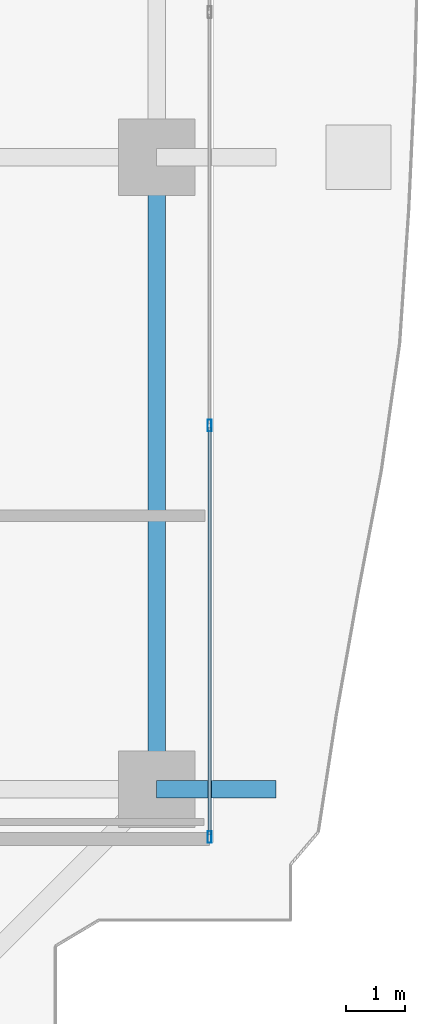
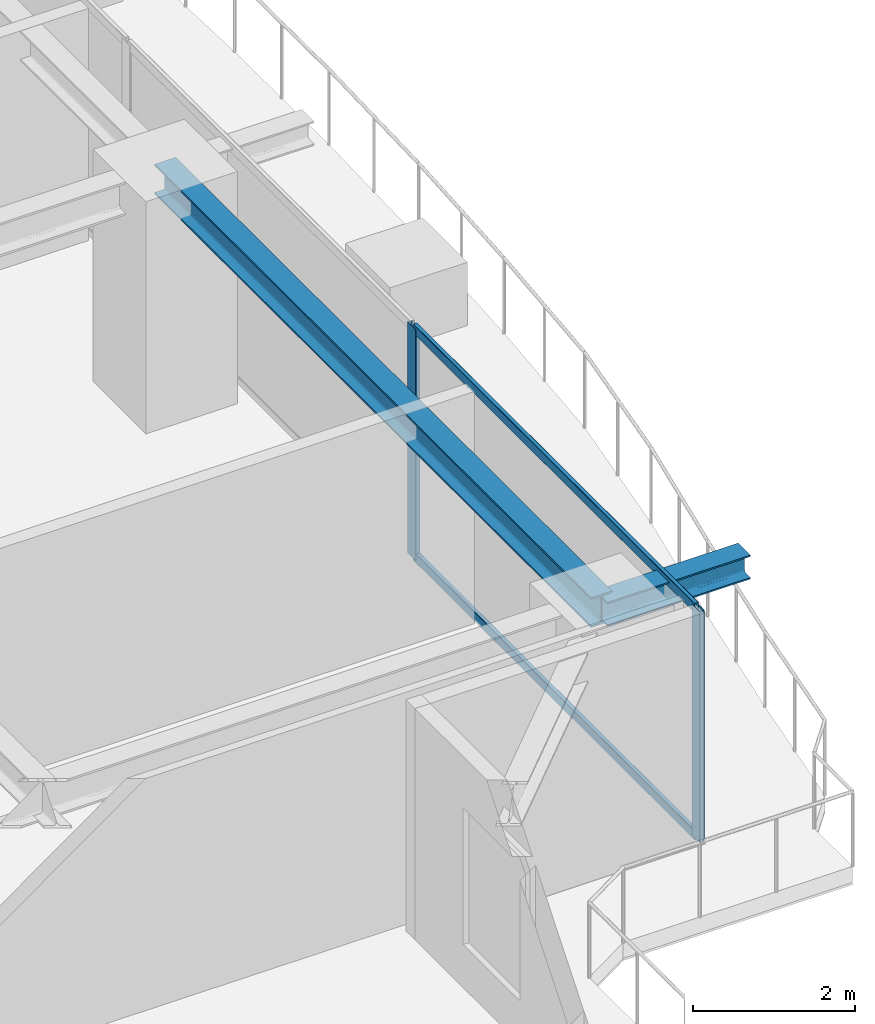
# One storey, part 12 of 34: 4 members, 2 beams, 1 element without a shape of its own.
"""IFC4 building model written with IfcOpenShell, lengths in metres."""

from ifc_helpers import new_model, si_unit, direction, frame, origin, origin_2d, place, context, subcontext, project, spatial, hollow_rectangle, i_section, extrude, source, transform, mapped, material, layer, layer_set, material_profile, profile_set, type_object, element, aggregate, save


model = new_model("IFC4")

# Units and contexts
model_context = context("Model", 3, precision=1e-05, world=origin(), true_north=direction((0.0, 1.0)))
body_context = subcontext(model_context, "Body", "Model", "MODEL_VIEW")
ifc_project = project(units=[si_unit("LENGTHUNIT", "METRE"), si_unit("AREAUNIT", "SQUARE_METRE"), si_unit("VOLUMEUNIT", "CUBIC_METRE"), si_unit("PLANEANGLEUNIT", "RADIAN"), si_unit("MASSUNIT", "GRAM", prefix="KILO")], contexts=[model_context])

# Site, building, storey
site_placement = place(None, origin())
site = spatial("IfcSite", under=ifc_project, at=site_placement, CompositionType="ELEMENT")
building_placement = place(site_placement, origin())
building = spatial("IfcBuilding", under=site, at=building_placement, Name="Serunith Strait Residences", CompositionType="ELEMENT")
storey_placement = place(building_placement, frame((0.0, 0.0, 180.14990234375)))
storey = spatial("IfcBuildingStorey", under=building, at=storey_placement, Name="L45", CompositionType="ELEMENT", Elevation=180.14990234375)

# Beams
ifc_material_1 = material(Name="Steel S355J2", Category="steel")
ifc_material_profile_1 = material_profile(ifc_material_1, i_section(OverallWidth=0.300048828125, OverallDepth=0.449951171875, WebThickness=0.013916015625, FlangeThickness=0.02587890625, FilletRadius=0.027099609375, at=origin_2d()), Name="HEB 450")
ifc_profile_set_1 = profile_set([ifc_material_profile_1], Name="Steel S355J2")
beam_type_1 = type_object("IfcBeamType", Name="BM-HEB450", PredefinedType="BEAM", material=ifc_profile_set_1)
shared_shape_1 = source(origin(), body_context, "Body", "SweptSolid", [
    extrude(i_section(OverallWidth=0.300048828125, OverallDepth=0.449951171875, WebThickness=0.013916015625, FlangeThickness=0.02587890625, FilletRadius=0.027099609375, at=origin_2d()), origin(), (0.0, 0.0, 1.0), 10.75),
])
beam_1_placement = place(storey_placement, frame((56.10009765625, 10.25, 3.26220703125), z_axis=(0.0, 1.0, 0.0), x_axis=(-1.0, 0.0, 0.0)))
element("IfcBeam", 1, at=beam_1_placement, inside=storey, type_object=beam_type_1, Name="L45 Perimeter Ring Beam 05", PredefinedType="BEAM", context=body_context, shape_type="MappedRepresentation", body=[
    mapped(shared_shape_1, transform((0.0, 0.0, 0.0), scale=1.0)),
])
ifc_material_profile_2 = material_profile(ifc_material_1, i_section(OverallWidth=0.300048828125, OverallDepth=0.360107421875, WebThickness=0.012451171875, FlangeThickness=0.0224609375, FilletRadius=0.027099609375, at=origin_2d()), Name="HEB 360")
ifc_profile_set_2 = profile_set([ifc_material_profile_2], Name="Steel S355J2")
beam_type_2 = type_object("IfcBeamType", Name="BM-HEB360", PredefinedType="BEAM", material=ifc_profile_set_2)
shared_shape_2 = source(origin(), body_context, "Body", "SweptSolid", [
    extrude(i_section(OverallWidth=0.300048828125, OverallDepth=0.360107421875, WebThickness=0.012451171875, FlangeThickness=0.0224609375, FilletRadius=0.027099609375, at=origin_2d()), origin(), (0.0, 0.0, 1.0), 2.02978515625),
])
beam_2_placement = place(storey_placement, frame((56.10009765625, 10.25, 3.277099609375), z_axis=(1.0, 0.0, 0.0), x_axis=(0.0, 1.0, 0.0)))
element("IfcBeam", 2, at=beam_2_placement, inside=storey, type_object=beam_type_2, Name="L46 Cantilevered Balcony Rib TC-E1", PredefinedType="BEAM", context=body_context, shape_type="MappedRepresentation", body=[
    mapped(shared_shape_2, transform((0.0, 0.0, 0.0), scale=1.0)),
])

# Curtain wall, members
ifc_material_2 = material(Name="Pale-Champagne Anodised Aluminium", Category="aluminium")
ifc_layer = layer(ifc_material_2, 0.199951171875, Name="Pale-Champagne Anodised Aluminium")
ifc_layer_set = layer_set([ifc_layer], Name="Pale-Champagne Anodised Aluminium")
curtain_wall_type = type_object("IfcCurtainWallType", Name="CW-SYS2", PredefinedType="NOTDEFINED", material=ifc_layer_set)
curtain_wall_placement = place(storey_placement, origin())
curtain_wall = element("IfcCurtainWall", 3, at=curtain_wall_placement, inside=storey, type_object=curtain_wall_type, Name="L45 E Unitised Fritted Curtain Wall", PredefinedType="NOTDEFINED")
ifc_material_profile_3 = material_profile(ifc_material_2, hollow_rectangle(XDim=0.070068359375, YDim=0.199951171875, WallThickness=0.00390625, InnerFilletRadius=0.006103515625, OuterFilletRadius=0.010009765625, at=origin_2d()), Name="ALU 200x70x4")
ifc_profile_set_3 = profile_set([ifc_material_profile_3], Name="Pale-Champagne Anodised Aluminium")
member_type_1 = type_object("IfcMemberType", Name="CW-SYS2-MULL", PredefinedType="MULLION", material=ifc_profile_set_3)
shared_shape_3 = source(origin(), body_context, "Body", "SweptSolid", [
    extrude(hollow_rectangle(XDim=0.070068359375, YDim=0.199951171875, WallThickness=0.00390625, InnerFilletRadius=0.006103515625, OuterFilletRadius=0.010009765625, at=origin_2d()), origin(), (0.0, 0.0, 1.0), 3.47509765625),
])
member_1_placement = place(storey_placement, frame((57.0, 9.43505859375, 0.0), z_axis=(0.0, 0.0, 1.0), x_axis=(-1.0, 0.0, 0.0)))
member_1 = element("IfcMember", 4, at=member_1_placement, type_object=member_type_1, Name="CW-2 mullion 1", PredefinedType="MULLION", context=body_context, shape_type="MappedRepresentation", body=[
    mapped(shared_shape_3, transform((0.0, 0.0, 0.0), scale=1.0)),
])
member_2_placement = place(storey_placement, frame((57.0, 16.433349609375, 0.0), z_axis=(0.0, 0.0, 1.0), x_axis=(-1.0, 0.0, 0.0)))
member_2 = element("IfcMember", 5, at=member_2_placement, type_object=member_type_1, Name="CW-2 mullion 2", PredefinedType="MULLION", context=body_context, shape_type="MappedRepresentation", body=[
    mapped(shared_shape_3, transform((0.0, 0.0, 0.0), scale=1.0)),
])
ifc_material_profile_4 = material_profile(ifc_material_2, hollow_rectangle(XDim=0.06005859375, YDim=0.139892578125, WallThickness=0.00341796875, InnerFilletRadius=0.00537109375, OuterFilletRadius=0.0087890625, at=origin_2d()), Name="ALU 140x60x3.5")
ifc_profile_set_4 = profile_set([ifc_material_profile_4], Name="Pale-Champagne Anodised Aluminium")
member_type_2 = type_object("IfcMemberType", Name="CW-SYS2-TRAN", PredefinedType="USERDEFINED", material=ifc_profile_set_4)
shared_shape_4 = source(origin(), body_context, "Body", "SweptSolid", [
    extrude(hollow_rectangle(XDim=0.06005859375, YDim=0.139892578125, WallThickness=0.00341796875, InnerFilletRadius=0.00537109375, OuterFilletRadius=0.0087890625, at=origin_2d()), origin(), (0.0, 0.0, 1.0), 6.928466796875),
])
member_3_placement = place(storey_placement, frame((57.0, 9.469970703125, 0.030029296875), z_axis=(0.0, 1.0, 0.0), x_axis=(-1.0, 0.0, 0.0)))
member_3 = element("IfcMember", 6, at=member_3_placement, type_object=member_type_2, Name="CW-2 transom 1.1", ObjectType="TRANSOM", PredefinedType="USERDEFINED", context=body_context, shape_type="MappedRepresentation", body=[
    mapped(shared_shape_4, transform((0.0, 0.0, 0.0), scale=1.0)),
])
member_4_placement = place(storey_placement, frame((57.0, 9.469970703125, 3.445068359375), z_axis=(0.0, 1.0, 0.0), x_axis=(-1.0, 0.0, 0.0)))
member_4 = element("IfcMember", 7, at=member_4_placement, type_object=member_type_2, Name="CW-2 transom 1.2", ObjectType="TRANSOM", PredefinedType="USERDEFINED", context=body_context, shape_type="MappedRepresentation", body=[
    mapped(shared_shape_4, transform((0.0, 0.0, 0.0), scale=1.0)),
])
aggregate(curtain_wall, [member_1, member_2, member_3, member_4])

save(model, "model.ifc")
